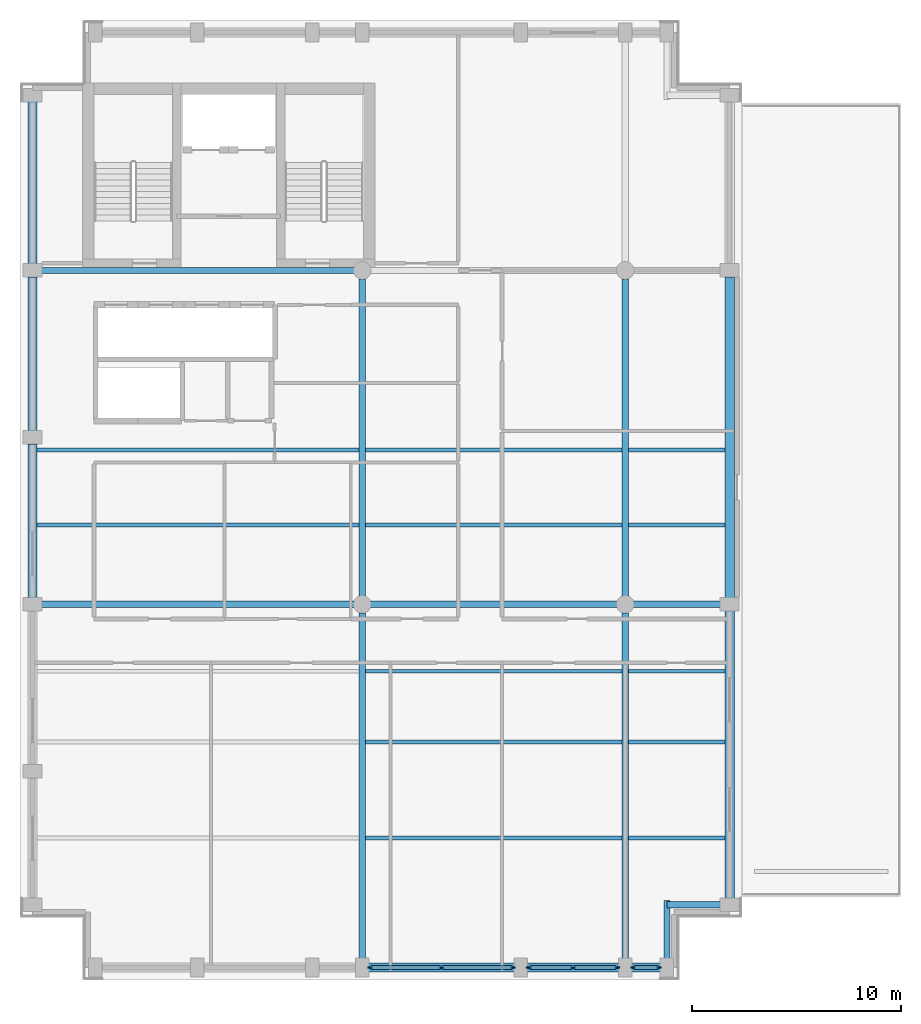
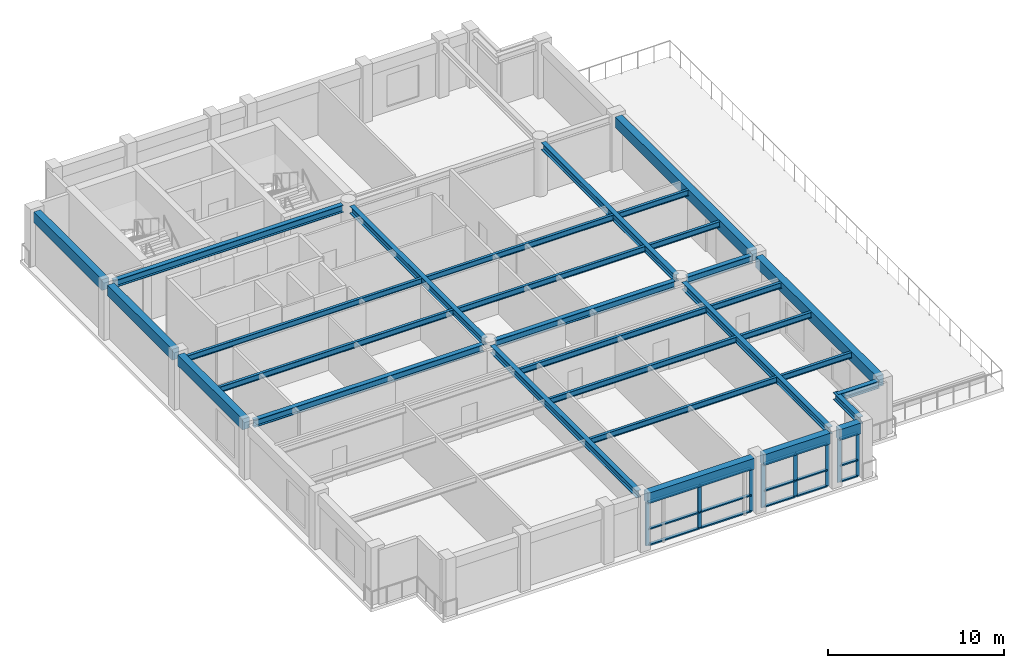
# One storey, part 2 of 9: 30 beams, 23 members, 3 elements without a shape of their own.
"""IFC4 building model written with IfcOpenShell, lengths in metres."""

from ifc_helpers import new_model, si_unit, direction, frame, origin, origin_2d, place, context, subcontext, project, spatial, rectangle, i_section, extrude, material, layer, layer_set, material_profile, profile_set, type_object, element, aggregate, save


model = new_model("IFC4")

# Units and contexts
model_context = context("Model", 3, precision=1e-05, world=origin(), true_north=direction((0.0, 1.0)))
body_context = subcontext(model_context, "Body", "Model", "MODEL_VIEW")
ifc_project = project(units=[si_unit("LENGTHUNIT", "METRE"), si_unit("AREAUNIT", "SQUARE_METRE"), si_unit("VOLUMEUNIT", "CUBIC_METRE"), si_unit("PLANEANGLEUNIT", "RADIAN"), si_unit("MASSUNIT", "GRAM", prefix="KILO")], contexts=[model_context])

# Site, building, storey
site_placement = place(None, origin())
site = spatial("IfcSite", under=ifc_project, at=site_placement, CompositionType="ELEMENT")
building_placement = place(site_placement, origin())
building = spatial("IfcBuilding", under=site, at=building_placement, Name="Sulina Concourse Tower", CompositionType="ELEMENT")
storey_placement = place(building_placement, frame((0.0, 0.0, 305.0)))
storey = spatial("IfcBuildingStorey", under=building, at=storey_placement, Name="L74", CompositionType="ELEMENT", Elevation=305.0)

# Beams
ifc_material_1 = material(Name="Steel S355", Category="steel")
ifc_material_profile_1 = material_profile(ifc_material_1, i_section(OverallWidth=0.300048828125, OverallDepth=0.5, WebThickness=0.014404296875, FlangeThickness=0.028076171875, at=origin_2d()), Name="HE 500 B")
ifc_profile_set_1 = profile_set([ifc_material_profile_1], Name="Steel S355")
beam_type_1 = type_object("IfcBeamType", Name="Crown & Canopy Primary Girder HE500B", PredefinedType="BEAM", material=ifc_profile_set_1)
beam_1_placement = place(storey_placement, frame((31.0, 3.60009765625, 3.52490234375), z_axis=(1.0, 0.0, 0.0), x_axis=(0.0, 1.0, 0.0)))
element("IfcBeam", 1, at=beam_1_placement, inside=storey, type_object=beam_type_1, Name="TIE-SE-L74", PredefinedType="BEAM", context=body_context, shape_type="SweptSolid", body=[
    extrude(i_section(OverallWidth=0.300048828125, OverallDepth=0.5, WebThickness=0.014404296875, FlangeThickness=0.028076171875, at=origin_2d()), origin(), (0.0, 0.0, 1.0), 2.695068359375),
])
beam_2_placement = place(storey_placement, frame((31.0, 0.905029296875, 3.52490234375), z_axis=(0.0, 1.0, 0.0), x_axis=(-1.0, 0.0, 0.0)))
element("IfcBeam", 2, at=beam_2_placement, inside=storey, type_object=beam_type_1, Name="TIE-SES-L74", PredefinedType="BEAM", context=body_context, shape_type="SweptSolid", body=[
    extrude(i_section(OverallWidth=0.300048828125, OverallDepth=0.5, WebThickness=0.014404296875, FlangeThickness=0.028076171875, at=origin_2d()), origin(), (0.0, 0.0, 1.0), 2.89501953125),
])
beam_3_placement = place(storey_placement, frame((0.905029296875, 18.0, 3.52490234375), z_axis=(1.0, 0.0, 0.0), x_axis=(0.0, 1.0, 0.0)))
element("IfcBeam", 3, at=beam_3_placement, inside=storey, type_object=beam_type_1, Name="FG-EW1-L74", PredefinedType="BEAM", context=body_context, shape_type="SweptSolid", body=[
    extrude(i_section(OverallWidth=0.300048828125, OverallDepth=0.5, WebThickness=0.014404296875, FlangeThickness=0.028076171875, at=origin_2d()), origin(), (0.0, 0.0, 1.0), 15.090087890625),
])
beam_4_placement = place(storey_placement, frame((16.804931640625, 18.0, 3.52490234375), z_axis=(1.0, 0.0, 0.0), x_axis=(0.0, 1.0, 0.0)))
element("IfcBeam", 4, at=beam_4_placement, inside=storey, type_object=beam_type_1, Name="FG-EW2-L74", PredefinedType="BEAM", context=body_context, shape_type="SweptSolid", body=[
    extrude(i_section(OverallWidth=0.300048828125, OverallDepth=0.5, WebThickness=0.014404296875, FlangeThickness=0.028076171875, at=origin_2d()), origin(), (0.0, 0.0, 1.0), 11.7900390625),
])
beam_5_placement = place(storey_placement, frame((29.405029296875, 18.0, 3.52490234375), z_axis=(1.0, 0.0, 0.0), x_axis=(0.0, 1.0, 0.0)))
element("IfcBeam", 5, at=beam_5_placement, inside=storey, type_object=beam_type_1, Name="FG-EW3-L74", PredefinedType="BEAM", context=body_context, shape_type="SweptSolid", body=[
    extrude(i_section(OverallWidth=0.300048828125, OverallDepth=0.5, WebThickness=0.014404296875, FlangeThickness=0.028076171875, at=origin_2d()), origin(), (0.0, 0.0, 1.0), 4.2900390625),
])
beam_6_placement = place(storey_placement, frame((0.905029296875, 34.0, 3.52490234375), z_axis=(1.0, 0.0, 0.0), x_axis=(0.0, 1.0, 0.0)))
element("IfcBeam", 6, at=beam_6_placement, inside=storey, type_object=beam_type_1, Name="FG-EWN1-L74", PredefinedType="BEAM", context=body_context, shape_type="SweptSolid", body=[
    extrude(i_section(OverallWidth=0.300048828125, OverallDepth=0.5, WebThickness=0.014404296875, FlangeThickness=0.028076171875, at=origin_2d()), origin(), (0.0, 0.0, 1.0), 15.090087890625),
])
beam_7_placement = place(storey_placement, frame((16.39990234375, 0.905029296875, 3.52490234375), z_axis=(0.0, 1.0, 0.0), x_axis=(-1.0, 0.0, 0.0)))
element("IfcBeam", 7, at=beam_7_placement, inside=storey, type_object=beam_type_1, Name="FG-NSA-16-L74", PredefinedType="BEAM", context=body_context, shape_type="SweptSolid", body=[
    extrude(i_section(OverallWidth=0.300048828125, OverallDepth=0.5, WebThickness=0.014404296875, FlangeThickness=0.028076171875, at=origin_2d()), origin(), (0.0, 0.0, 1.0), 16.68994140625),
])
beam_8_placement = place(storey_placement, frame((16.39990234375, 18.405029296875, 3.52490234375), z_axis=(0.0, 1.0, 0.0), x_axis=(-1.0, 0.0, 0.0)))
element("IfcBeam", 8, at=beam_8_placement, inside=storey, type_object=beam_type_1, Name="FG-NSB-16-L74", PredefinedType="BEAM", context=body_context, shape_type="SweptSolid", body=[
    extrude(i_section(OverallWidth=0.300048828125, OverallDepth=0.5, WebThickness=0.014404296875, FlangeThickness=0.028076171875, at=origin_2d()), origin(), (0.0, 0.0, 1.0), 15.18994140625),
])
beam_9_placement = place(storey_placement, frame((29.0, 0.905029296875, 3.52490234375), z_axis=(0.0, 1.0, 0.0), x_axis=(-1.0, 0.0, 0.0)))
element("IfcBeam", 9, at=beam_9_placement, inside=storey, type_object=beam_type_1, Name="FG-NSA-29-L74", PredefinedType="BEAM", context=body_context, shape_type="SweptSolid", body=[
    extrude(i_section(OverallWidth=0.300048828125, OverallDepth=0.5, WebThickness=0.014404296875, FlangeThickness=0.028076171875, at=origin_2d()), origin(), (0.0, 0.0, 1.0), 16.68994140625),
])
beam_10_placement = place(storey_placement, frame((29.0, 18.405029296875, 3.52490234375), z_axis=(0.0, 1.0, 0.0), x_axis=(-1.0, 0.0, 0.0)))
element("IfcBeam", 10, at=beam_10_placement, inside=storey, type_object=beam_type_1, Name="FG-NSB-29-L74", PredefinedType="BEAM", context=body_context, shape_type="SweptSolid", body=[
    extrude(i_section(OverallWidth=0.300048828125, OverallDepth=0.5, WebThickness=0.014404296875, FlangeThickness=0.028076171875, at=origin_2d()), origin(), (0.0, 0.0, 1.0), 15.18994140625),
])
ifc_material_2 = material(Name="Steel S355", Category="steel")
ifc_material_profile_2 = material_profile(ifc_material_2, i_section(OverallWidth=0.179931640625, OverallDepth=0.39990234375, WebThickness=0.008544921875, FlangeThickness=0.013427734375, at=origin_2d()), Name="IPE 400")
ifc_profile_set_2 = profile_set([ifc_material_profile_2], Name="Steel S355")
beam_type_2 = type_object("IfcBeamType", Name="Crown & Terrace Joist IPE400", PredefinedType="JOIST", material=ifc_profile_set_2)
beam_11_placement = place(storey_placement, frame((16.550048828125, 6.800048828125, 3.574951171875), z_axis=(1.0, 0.0, 0.0), x_axis=(0.0, 1.0, 0.0)))
element("IfcBeam", 11, at=beam_11_placement, inside=storey, type_object=beam_type_2, Name="FJ-J06-2-L74", PredefinedType="JOIST", context=body_context, shape_type="SweptSolid", body=[
    extrude(i_section(OverallWidth=0.179931640625, OverallDepth=0.39990234375, WebThickness=0.008544921875, FlangeThickness=0.013427734375, at=origin_2d()), origin(), (0.0, 0.0, 1.0), 12.300048828125),
])
beam_12_placement = place(storey_placement, frame((29.14990234375, 6.800048828125, 3.574951171875), z_axis=(1.0, 0.0, 0.0), x_axis=(0.0, 1.0, 0.0)))
element("IfcBeam", 12, at=beam_12_placement, inside=storey, type_object=beam_type_2, Name="FJ-J06-3-L74", PredefinedType="JOIST", context=body_context, shape_type="SweptSolid", body=[
    extrude(i_section(OverallWidth=0.179931640625, OverallDepth=0.39990234375, WebThickness=0.008544921875, FlangeThickness=0.013427734375, at=origin_2d()), origin(), (0.0, 0.0, 1.0), 4.625),
])
beam_13_placement = place(storey_placement, frame((16.550048828125, 11.39990234375, 3.574951171875), z_axis=(1.0, 0.0, 0.0), x_axis=(0.0, 1.0, 0.0)))
element("IfcBeam", 13, at=beam_13_placement, inside=storey, type_object=beam_type_2, Name="FJ-J11-2-L74", PredefinedType="JOIST", context=body_context, shape_type="SweptSolid", body=[
    extrude(i_section(OverallWidth=0.179931640625, OverallDepth=0.39990234375, WebThickness=0.008544921875, FlangeThickness=0.013427734375, at=origin_2d()), origin(), (0.0, 0.0, 1.0), 12.300048828125),
])
beam_14_placement = place(storey_placement, frame((29.14990234375, 11.39990234375, 3.574951171875), z_axis=(1.0, 0.0, 0.0), x_axis=(0.0, 1.0, 0.0)))
element("IfcBeam", 14, at=beam_14_placement, inside=storey, type_object=beam_type_2, Name="FJ-J11-3-L74", PredefinedType="JOIST", context=body_context, shape_type="SweptSolid", body=[
    extrude(i_section(OverallWidth=0.179931640625, OverallDepth=0.39990234375, WebThickness=0.008544921875, FlangeThickness=0.013427734375, at=origin_2d()), origin(), (0.0, 0.0, 1.0), 4.625),
])
beam_15_placement = place(storey_placement, frame((16.550048828125, 14.800048828125, 3.574951171875), z_axis=(1.0, 0.0, 0.0), x_axis=(0.0, 1.0, 0.0)))
element("IfcBeam", 15, at=beam_15_placement, inside=storey, type_object=beam_type_2, Name="FJ-J15-2-L74", PredefinedType="JOIST", context=body_context, shape_type="SweptSolid", body=[
    extrude(i_section(OverallWidth=0.179931640625, OverallDepth=0.39990234375, WebThickness=0.008544921875, FlangeThickness=0.013427734375, at=origin_2d()), origin(), (0.0, 0.0, 1.0), 12.300048828125),
])
beam_16_placement = place(storey_placement, frame((29.14990234375, 14.800048828125, 3.574951171875), z_axis=(1.0, 0.0, 0.0), x_axis=(0.0, 1.0, 0.0)))
element("IfcBeam", 16, at=beam_16_placement, inside=storey, type_object=beam_type_2, Name="FJ-J15-3-L74", PredefinedType="JOIST", context=body_context, shape_type="SweptSolid", body=[
    extrude(i_section(OverallWidth=0.179931640625, OverallDepth=0.39990234375, WebThickness=0.008544921875, FlangeThickness=0.013427734375, at=origin_2d()), origin(), (0.0, 0.0, 1.0), 4.625),
])
beam_17_placement = place(storey_placement, frame((0.824951171875, 21.800048828125, 3.574951171875), z_axis=(1.0, 0.0, 0.0), x_axis=(0.0, 1.0, 0.0)))
element("IfcBeam", 17, at=beam_17_placement, inside=storey, type_object=beam_type_2, Name="FJ-J22-1-L74", PredefinedType="JOIST", context=body_context, shape_type="SweptSolid", body=[
    extrude(i_section(OverallWidth=0.179931640625, OverallDepth=0.39990234375, WebThickness=0.008544921875, FlangeThickness=0.013427734375, at=origin_2d()), origin(), (0.0, 0.0, 1.0), 15.425048828125),
])
beam_18_placement = place(storey_placement, frame((16.550048828125, 21.800048828125, 3.574951171875), z_axis=(1.0, 0.0, 0.0), x_axis=(0.0, 1.0, 0.0)))
element("IfcBeam", 18, at=beam_18_placement, inside=storey, type_object=beam_type_2, Name="FJ-J22-2-L74", PredefinedType="JOIST", context=body_context, shape_type="SweptSolid", body=[
    extrude(i_section(OverallWidth=0.179931640625, OverallDepth=0.39990234375, WebThickness=0.008544921875, FlangeThickness=0.013427734375, at=origin_2d()), origin(), (0.0, 0.0, 1.0), 12.300048828125),
])
beam_19_placement = place(storey_placement, frame((29.14990234375, 21.800048828125, 3.574951171875), z_axis=(1.0, 0.0, 0.0), x_axis=(0.0, 1.0, 0.0)))
element("IfcBeam", 19, at=beam_19_placement, inside=storey, type_object=beam_type_2, Name="FJ-J22-3-L74", PredefinedType="JOIST", context=body_context, shape_type="SweptSolid", body=[
    extrude(i_section(OverallWidth=0.179931640625, OverallDepth=0.39990234375, WebThickness=0.008544921875, FlangeThickness=0.013427734375, at=origin_2d()), origin(), (0.0, 0.0, 1.0), 4.625),
])
beam_20_placement = place(storey_placement, frame((0.824951171875, 25.39990234375, 3.574951171875), z_axis=(1.0, 0.0, 0.0), x_axis=(0.0, 1.0, 0.0)))
element("IfcBeam", 20, at=beam_20_placement, inside=storey, type_object=beam_type_2, Name="FJ-J25-1-L74", PredefinedType="JOIST", context=body_context, shape_type="SweptSolid", body=[
    extrude(i_section(OverallWidth=0.179931640625, OverallDepth=0.39990234375, WebThickness=0.008544921875, FlangeThickness=0.013427734375, at=origin_2d()), origin(), (0.0, 0.0, 1.0), 15.425048828125),
])
beam_21_placement = place(storey_placement, frame((16.550048828125, 25.39990234375, 3.574951171875), z_axis=(1.0, 0.0, 0.0), x_axis=(0.0, 1.0, 0.0)))
element("IfcBeam", 21, at=beam_21_placement, inside=storey, type_object=beam_type_2, Name="FJ-J25-2-L74", PredefinedType="JOIST", context=body_context, shape_type="SweptSolid", body=[
    extrude(i_section(OverallWidth=0.179931640625, OverallDepth=0.39990234375, WebThickness=0.008544921875, FlangeThickness=0.013427734375, at=origin_2d()), origin(), (0.0, 0.0, 1.0), 12.300048828125),
])
beam_22_placement = place(storey_placement, frame((29.14990234375, 25.39990234375, 3.574951171875), z_axis=(1.0, 0.0, 0.0), x_axis=(0.0, 1.0, 0.0)))
element("IfcBeam", 22, at=beam_22_placement, inside=storey, type_object=beam_type_2, Name="FJ-J25-3-L74", PredefinedType="JOIST", context=body_context, shape_type="SweptSolid", body=[
    extrude(i_section(OverallWidth=0.179931640625, OverallDepth=0.39990234375, WebThickness=0.008544921875, FlangeThickness=0.013427734375, at=origin_2d()), origin(), (0.0, 0.0, 1.0), 4.625),
])

# Curtain wall, members
ifc_material_3 = material(Name="Anodised bronze aluminium", Category="aluminium")
ifc_layer = layer(ifc_material_3, 0.27001953125)
ifc_layer_set = layer_set([ifc_layer], Name="Anodised bronze aluminium")
curtain_wall_type = type_object("IfcCurtainWallType", Name="Stepped Crown Observation Curtain Wall System", PredefinedType="NOTDEFINED", material=ifc_layer_set)
curtain_wall_1_placement = place(storey_placement, origin())
curtain_wall_1 = element("IfcCurtainWall", 23, at=curtain_wall_1_placement, inside=storey, type_object=curtain_wall_type, Name="L74 glazed curtain wall S4", PredefinedType="NOTDEFINED")
ifc_material_4 = material(Name="Anodised bronze aluminium", Category="aluminium")
ifc_material_profile_3 = material_profile(ifc_material_4, rectangle(XDim=0.0849609375, YDim=0.25, at=origin_2d()), Name="MUL 85x250")
ifc_profile_set_3 = profile_set([ifc_material_profile_3], Name="Anodised bronze aluminium")
member_type_1 = type_object("IfcMemberType", Name="Stepped Crown Observation Curtain Wall System Mullion 85x250", PredefinedType="MULLION", material=ifc_profile_set_3)
member_1_placement = place(storey_placement, frame((23.612548828125, 0.60009765625, 0.0), z_axis=(0.0, 0.0, 1.0), x_axis=(0.0, -1.0, 0.0)))
member_1 = element("IfcMember", 24, at=member_1_placement, type_object=member_type_1, Name="CW-06 mullion 1", PredefinedType="MULLION", context=body_context, shape_type="SweptSolid", body=[
    extrude(rectangle(XDim=0.0849609375, YDim=0.25, at=origin_2d()), origin(), (0.0, 0.0, 1.0), 3.02490234375),
])
member_2_placement = place(storey_placement, frame((20.199951171875, 0.60009765625, 0.0), z_axis=(0.0, 0.0, 1.0), x_axis=(0.0, -1.0, 0.0)))
member_2 = element("IfcMember", 25, at=member_2_placement, type_object=member_type_1, Name="CW-06 mullion 2", PredefinedType="MULLION", context=body_context, shape_type="SweptSolid", body=[
    extrude(rectangle(XDim=0.0849609375, YDim=0.25, at=origin_2d()), origin(), (0.0, 0.0, 1.0), 3.02490234375),
])
member_3_placement = place(storey_placement, frame((16.78759765625, 0.60009765625, 0.0), z_axis=(0.0, 0.0, 1.0), x_axis=(0.0, -1.0, 0.0)))
member_3 = element("IfcMember", 26, at=member_3_placement, type_object=member_type_1, Name="CW-06 mullion 3", PredefinedType="MULLION", context=body_context, shape_type="SweptSolid", body=[
    extrude(rectangle(XDim=0.0849609375, YDim=0.25, at=origin_2d()), origin(), (0.0, 0.0, 1.0), 3.02490234375),
])

curtain_wall_2_placement = place(storey_placement, origin())
curtain_wall_2 = element("IfcCurtainWall", 27, at=curtain_wall_2_placement, inside=storey, type_object=curtain_wall_type, Name="L74 glazed curtain wall S5", PredefinedType="NOTDEFINED")
member_4_placement = place(storey_placement, frame((28.612548828125, 0.60009765625, 0.0), z_axis=(0.0, 0.0, 1.0), x_axis=(0.0, -1.0, 0.0)))
member_4 = element("IfcMember", 28, at=member_4_placement, type_object=member_type_1, Name="CW-06 mullion 1", PredefinedType="MULLION", context=body_context, shape_type="SweptSolid", body=[
    extrude(rectangle(XDim=0.0849609375, YDim=0.25, at=origin_2d()), origin(), (0.0, 0.0, 1.0), 3.02490234375),
])
member_5_placement = place(storey_placement, frame((26.5, 0.60009765625, 0.0), z_axis=(0.0, 0.0, 1.0), x_axis=(0.0, -1.0, 0.0)))
member_5 = element("IfcMember", 29, at=member_5_placement, type_object=member_type_1, Name="CW-06 mullion 2", PredefinedType="MULLION", context=body_context, shape_type="SweptSolid", body=[
    extrude(rectangle(XDim=0.0849609375, YDim=0.25, at=origin_2d()), origin(), (0.0, 0.0, 1.0), 3.02490234375),
])
member_6_placement = place(storey_placement, frame((24.387451171875, 0.60009765625, 0.0), z_axis=(0.0, 0.0, 1.0), x_axis=(0.0, -1.0, 0.0)))
member_6 = element("IfcMember", 30, at=member_6_placement, type_object=member_type_1, Name="CW-06 mullion 3", PredefinedType="MULLION", context=body_context, shape_type="SweptSolid", body=[
    extrude(rectangle(XDim=0.0849609375, YDim=0.25, at=origin_2d()), origin(), (0.0, 0.0, 1.0), 3.02490234375),
])

curtain_wall_3_placement = place(storey_placement, origin())
curtain_wall_3 = element("IfcCurtainWall", 31, at=curtain_wall_3_placement, inside=storey, type_object=curtain_wall_type, Name="L74 glazed curtain wall S6", PredefinedType="NOTDEFINED")
member_7_placement = place(storey_placement, frame((30.612548828125, 0.60009765625, 0.0), z_axis=(0.0, 0.0, 1.0), x_axis=(0.0, -1.0, 0.0)))
member_7 = element("IfcMember", 32, at=member_7_placement, type_object=member_type_1, Name="CW-06 mullion 1", PredefinedType="MULLION", context=body_context, shape_type="SweptSolid", body=[
    extrude(rectangle(XDim=0.0849609375, YDim=0.25, at=origin_2d()), origin(), (0.0, 0.0, 1.0), 3.02490234375),
])
member_8_placement = place(storey_placement, frame((29.387451171875, 0.60009765625, 0.0), z_axis=(0.0, 0.0, 1.0), x_axis=(0.0, -1.0, 0.0)))
member_8 = element("IfcMember", 33, at=member_8_placement, type_object=member_type_1, Name="CW-06 mullion 2", PredefinedType="MULLION", context=body_context, shape_type="SweptSolid", body=[
    extrude(rectangle(XDim=0.0849609375, YDim=0.25, at=origin_2d()), origin(), (0.0, 0.0, 1.0), 3.02490234375),
])

# Member
ifc_material_5 = material(Name="Anodised bronze aluminium", Category="aluminium")
ifc_material_profile_4 = material_profile(ifc_material_5, rectangle(XDim=0.205078125, YDim=0.0849609375, at=origin_2d()), Name="TRN 85x205")
ifc_profile_set_4 = profile_set([ifc_material_profile_4], Name="Anodised bronze aluminium")
member_type_2 = type_object("IfcMemberType", Name="Stepped Crown Observation Curtain Wall System Transom 85x205", PredefinedType="USERDEFINED", material=ifc_profile_set_4)
member_9_placement = place(storey_placement, frame((23.570068359375, 0.60009765625, 0.04248046875), z_axis=(-1.0, 0.0, 0.0), x_axis=(0.0, -1.0, 0.0)))
member_9 = element("IfcMember", 34, at=member_9_placement, type_object=member_type_2, Name="CW-06 transom 1.1", ObjectType="TRANSOM", PredefinedType="USERDEFINED", context=body_context, shape_type="SweptSolid", body=[
    extrude(rectangle(XDim=0.205078125, YDim=0.0849609375, at=origin_2d()), origin(), (0.0, 0.0, 1.0), 3.32763671875),
])

member_10_placement = place(storey_placement, frame((23.570068359375, 0.60009765625, 1.1494140625), z_axis=(-1.0, 0.0, 0.0), x_axis=(0.0, -1.0, 0.0)))
member_10 = element("IfcMember", 35, at=member_10_placement, type_object=member_type_2, Name="CW-06 transom 1.2", ObjectType="TRANSOM", PredefinedType="USERDEFINED", context=body_context, shape_type="SweptSolid", body=[
    extrude(rectangle(XDim=0.205078125, YDim=0.0849609375, at=origin_2d()), origin(), (0.0, 0.0, 1.0), 3.32763671875),
])

member_11_placement = place(storey_placement, frame((23.570068359375, 0.60009765625, 2.982421875), z_axis=(-1.0, 0.0, 0.0), x_axis=(0.0, -1.0, 0.0)))
member_11 = element("IfcMember", 36, at=member_11_placement, type_object=member_type_2, Name="CW-06 transom 1.3", ObjectType="TRANSOM", PredefinedType="USERDEFINED", context=body_context, shape_type="SweptSolid", body=[
    extrude(rectangle(XDim=0.205078125, YDim=0.0849609375, at=origin_2d()), origin(), (0.0, 0.0, 1.0), 3.32763671875),
])

member_12_placement = place(storey_placement, frame((20.157470703125, 0.60009765625, 0.04248046875), z_axis=(-1.0, 0.0, 0.0), x_axis=(0.0, -1.0, 0.0)))
member_12 = element("IfcMember", 37, at=member_12_placement, type_object=member_type_2, Name="CW-06 transom 2.1", ObjectType="TRANSOM", PredefinedType="USERDEFINED", context=body_context, shape_type="SweptSolid", body=[
    extrude(rectangle(XDim=0.205078125, YDim=0.0849609375, at=origin_2d()), origin(), (0.0, 0.0, 1.0), 3.327392578125),
])

member_13_placement = place(storey_placement, frame((20.157470703125, 0.60009765625, 1.1494140625), z_axis=(-1.0, 0.0, 0.0), x_axis=(0.0, -1.0, 0.0)))
member_13 = element("IfcMember", 38, at=member_13_placement, type_object=member_type_2, Name="CW-06 transom 2.2", ObjectType="TRANSOM", PredefinedType="USERDEFINED", context=body_context, shape_type="SweptSolid", body=[
    extrude(rectangle(XDim=0.205078125, YDim=0.0849609375, at=origin_2d()), origin(), (0.0, 0.0, 1.0), 3.327392578125),
])

member_14_placement = place(storey_placement, frame((20.157470703125, 0.60009765625, 2.982421875), z_axis=(-1.0, 0.0, 0.0), x_axis=(0.0, -1.0, 0.0)))
member_14 = element("IfcMember", 39, at=member_14_placement, type_object=member_type_2, Name="CW-06 transom 2.3", ObjectType="TRANSOM", PredefinedType="USERDEFINED", context=body_context, shape_type="SweptSolid", body=[
    extrude(rectangle(XDim=0.205078125, YDim=0.0849609375, at=origin_2d()), origin(), (0.0, 0.0, 1.0), 3.327392578125),
])

aggregate(curtain_wall_1, [member_1, member_2, member_3, member_9, member_10, member_11, member_12, member_13, member_14])

member_15_placement = place(storey_placement, frame((28.570068359375, 0.60009765625, 0.04248046875), z_axis=(-1.0, 0.0, 0.0), x_axis=(0.0, -1.0, 0.0)))
member_15 = element("IfcMember", 40, at=member_15_placement, type_object=member_type_2, Name="CW-06 transom 1.1", ObjectType="TRANSOM", PredefinedType="USERDEFINED", context=body_context, shape_type="SweptSolid", body=[
    extrude(rectangle(XDim=0.205078125, YDim=0.0849609375, at=origin_2d()), origin(), (0.0, 0.0, 1.0), 2.027587890625),
])

member_16_placement = place(storey_placement, frame((28.570068359375, 0.60009765625, 1.1494140625), z_axis=(-1.0, 0.0, 0.0), x_axis=(0.0, -1.0, 0.0)))
member_16 = element("IfcMember", 41, at=member_16_placement, type_object=member_type_2, Name="CW-06 transom 1.2", ObjectType="TRANSOM", PredefinedType="USERDEFINED", context=body_context, shape_type="SweptSolid", body=[
    extrude(rectangle(XDim=0.205078125, YDim=0.0849609375, at=origin_2d()), origin(), (0.0, 0.0, 1.0), 2.027587890625),
])

member_17_placement = place(storey_placement, frame((28.570068359375, 0.60009765625, 2.982421875), z_axis=(-1.0, 0.0, 0.0), x_axis=(0.0, -1.0, 0.0)))
member_17 = element("IfcMember", 42, at=member_17_placement, type_object=member_type_2, Name="CW-06 transom 1.3", ObjectType="TRANSOM", PredefinedType="USERDEFINED", context=body_context, shape_type="SweptSolid", body=[
    extrude(rectangle(XDim=0.205078125, YDim=0.0849609375, at=origin_2d()), origin(), (0.0, 0.0, 1.0), 2.027587890625),
])

member_18_placement = place(storey_placement, frame((26.45751953125, 0.60009765625, 0.04248046875), z_axis=(-1.0, 0.0, 0.0), x_axis=(0.0, -1.0, 0.0)))
member_18 = element("IfcMember", 43, at=member_18_placement, type_object=member_type_2, Name="CW-06 transom 2.1", ObjectType="TRANSOM", PredefinedType="USERDEFINED", context=body_context, shape_type="SweptSolid", body=[
    extrude(rectangle(XDim=0.205078125, YDim=0.0849609375, at=origin_2d()), origin(), (0.0, 0.0, 1.0), 2.027587890625),
])

member_19_placement = place(storey_placement, frame((26.45751953125, 0.60009765625, 1.1494140625), z_axis=(-1.0, 0.0, 0.0), x_axis=(0.0, -1.0, 0.0)))
member_19 = element("IfcMember", 44, at=member_19_placement, type_object=member_type_2, Name="CW-06 transom 2.2", ObjectType="TRANSOM", PredefinedType="USERDEFINED", context=body_context, shape_type="SweptSolid", body=[
    extrude(rectangle(XDim=0.205078125, YDim=0.0849609375, at=origin_2d()), origin(), (0.0, 0.0, 1.0), 2.027587890625),
])

member_20_placement = place(storey_placement, frame((26.45751953125, 0.60009765625, 2.982421875), z_axis=(-1.0, 0.0, 0.0), x_axis=(0.0, -1.0, 0.0)))
member_20 = element("IfcMember", 45, at=member_20_placement, type_object=member_type_2, Name="CW-06 transom 2.3", ObjectType="TRANSOM", PredefinedType="USERDEFINED", context=body_context, shape_type="SweptSolid", body=[
    extrude(rectangle(XDim=0.205078125, YDim=0.0849609375, at=origin_2d()), origin(), (0.0, 0.0, 1.0), 2.027587890625),
])

aggregate(curtain_wall_2, [member_4, member_5, member_6, member_15, member_16, member_17, member_18, member_19, member_20])

member_21_placement = place(storey_placement, frame((30.570068359375, 0.60009765625, 0.04248046875), z_axis=(-1.0, 0.0, 0.0), x_axis=(0.0, -1.0, 0.0)))
member_21 = element("IfcMember", 46, at=member_21_placement, type_object=member_type_2, Name="CW-06 transom 1.1", ObjectType="TRANSOM", PredefinedType="USERDEFINED", context=body_context, shape_type="SweptSolid", body=[
    extrude(rectangle(XDim=0.205078125, YDim=0.0849609375, at=origin_2d()), origin(), (0.0, 0.0, 1.0), 1.14013671875),
])

member_22_placement = place(storey_placement, frame((30.570068359375, 0.60009765625, 1.1494140625), z_axis=(-1.0, 0.0, 0.0), x_axis=(0.0, -1.0, 0.0)))
member_22 = element("IfcMember", 47, at=member_22_placement, type_object=member_type_2, Name="CW-06 transom 1.2", ObjectType="TRANSOM", PredefinedType="USERDEFINED", context=body_context, shape_type="SweptSolid", body=[
    extrude(rectangle(XDim=0.205078125, YDim=0.0849609375, at=origin_2d()), origin(), (0.0, 0.0, 1.0), 1.14013671875),
])

member_23_placement = place(storey_placement, frame((30.570068359375, 0.60009765625, 2.982421875), z_axis=(-1.0, 0.0, 0.0), x_axis=(0.0, -1.0, 0.0)))
member_23 = element("IfcMember", 48, at=member_23_placement, type_object=member_type_2, Name="CW-06 transom 1.3", ObjectType="TRANSOM", PredefinedType="USERDEFINED", context=body_context, shape_type="SweptSolid", body=[
    extrude(rectangle(XDim=0.205078125, YDim=0.0849609375, at=origin_2d()), origin(), (0.0, 0.0, 1.0), 1.14013671875),
])

aggregate(curtain_wall_3, [member_7, member_8, member_21, member_22, member_23])

# Beams
ifc_material_6 = material(Name="Precast concrete C50/60", Category="concrete")
ifc_material_profile_5 = material_profile(ifc_material_6, rectangle(XDim=0.449951171875, YDim=0.75, at=origin_2d()), Name="RC 450x750")
ifc_profile_set_5 = profile_set([ifc_material_profile_5], Name="Precast concrete C50/60")
beam_type_3 = type_object("IfcBeamType", Name="Upper Precast Spandrel Edge Beam 450x750", PredefinedType="BEAM", material=ifc_profile_set_5)
beam_23_placement = place(storey_placement, frame((16.705078125, 0.60009765625, 3.39990234375), z_axis=(1.0, 0.0, 0.0), x_axis=(0.0, 1.0, 0.0)))
element("IfcBeam", 49, at=beam_23_placement, inside=storey, type_object=beam_type_3, Name="SP-S4-L74", PredefinedType="BEAM", context=body_context, shape_type="SweptSolid", body=[
    extrude(rectangle(XDim=0.449951171875, YDim=0.75, at=origin_2d()), origin(), (0.0, 0.0, 1.0), 6.989990234375),
])
beam_24_placement = place(storey_placement, frame((24.304931640625, 0.60009765625, 3.39990234375), z_axis=(1.0, 0.0, 0.0), x_axis=(0.0, 1.0, 0.0)))
element("IfcBeam", 50, at=beam_24_placement, inside=storey, type_object=beam_type_3, Name="SP-S5-L74", PredefinedType="BEAM", context=body_context, shape_type="SweptSolid", body=[
    extrude(rectangle(XDim=0.449951171875, YDim=0.75, at=origin_2d()), origin(), (0.0, 0.0, 1.0), 4.39013671875),
])
beam_25_placement = place(storey_placement, frame((29.304931640625, 0.60009765625, 3.39990234375), z_axis=(1.0, 0.0, 0.0), x_axis=(0.0, 1.0, 0.0)))
element("IfcBeam", 51, at=beam_25_placement, inside=storey, type_object=beam_type_3, Name="SP-S6-L74", PredefinedType="BEAM", context=body_context, shape_type="SweptSolid", body=[
    extrude(rectangle(XDim=0.449951171875, YDim=0.75, at=origin_2d()), origin(), (0.0, 0.0, 1.0), 1.39013671875),
])
for number, where, z_axis, x_axis, name in (
    (52, (0.60009765625, 18.304931640625, 3.39990234375), (0.0, 1.0, 0.0), (-1.0, 0.0, 0.0), "SP-W3-L74"),
    (53, (0.60009765625, 26.304931640625, 3.39990234375), (0.0, 1.0, 0.0), (-1.0, 0.0, 0.0), "SP-W4-L74"),
):
    element("IfcBeam", number, at=place(storey_placement, frame(where, z_axis=z_axis, x_axis=x_axis)), inside=storey, type_object=beam_type_3, Name=name, PredefinedType="BEAM", context=body_context, shape_type="SweptSolid", body=[
        extrude(rectangle(XDim=0.449951171875, YDim=0.75, at=origin_2d()), origin(), (0.0, 0.0, 1.0), 7.39013671875),
    ])
beam_26_placement = place(storey_placement, frame((0.60009765625, 34.304931640625, 3.39990234375), z_axis=(0.0, 1.0, 0.0), x_axis=(-1.0, 0.0, 0.0)))
element("IfcBeam", 54, at=beam_26_placement, inside=storey, type_object=beam_type_3, Name="SP-W5-L74", PredefinedType="BEAM", context=body_context, shape_type="SweptSolid", body=[
    extrude(rectangle(XDim=0.449951171875, YDim=0.75, at=origin_2d()), origin(), (0.0, 0.0, 1.0), 7.7900390625),
])
beam_27_placement = place(storey_placement, frame((34.0, 3.905029296875, 3.39990234375), z_axis=(0.0, 1.0, 0.0), x_axis=(-1.0, 0.0, 0.0)))
element("IfcBeam", 55, at=beam_27_placement, inside=storey, type_object=beam_type_3, Name="SP-E1-L74", PredefinedType="BEAM", context=body_context, shape_type="SweptSolid", body=[
    extrude(rectangle(XDim=0.449951171875, YDim=0.75, at=origin_2d()), origin(), (0.0, 0.0, 1.0), 13.7900390625),
])
beam_28_placement = place(storey_placement, frame((34.0, 18.304931640625, 3.39990234375), z_axis=(0.0, 1.0, 0.0), x_axis=(-1.0, 0.0, 0.0)))
element("IfcBeam", 56, at=beam_28_placement, inside=storey, type_object=beam_type_3, Name="SP-E2-L74", PredefinedType="BEAM", context=body_context, shape_type="SweptSolid", body=[
    extrude(rectangle(XDim=0.449951171875, YDim=0.75, at=origin_2d()), origin(), (0.0, 0.0, 1.0), 15.39013671875),
])

save(model, "model.ifc")
